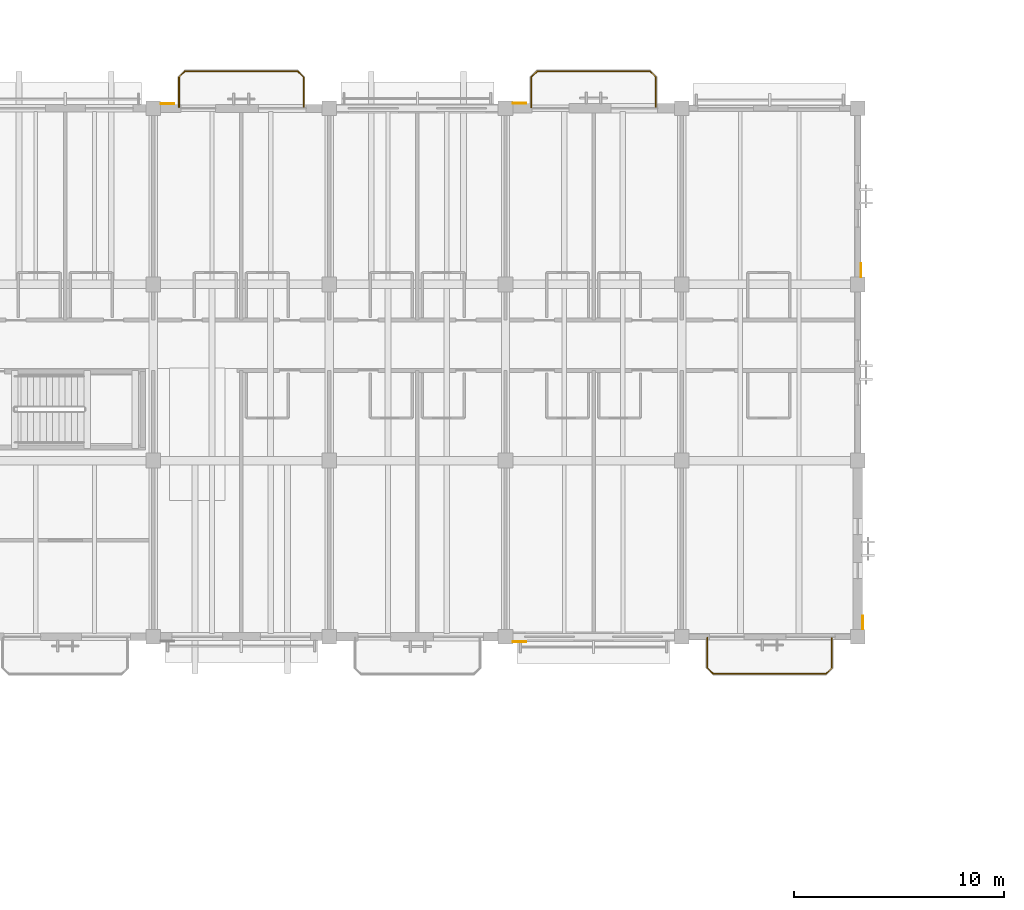
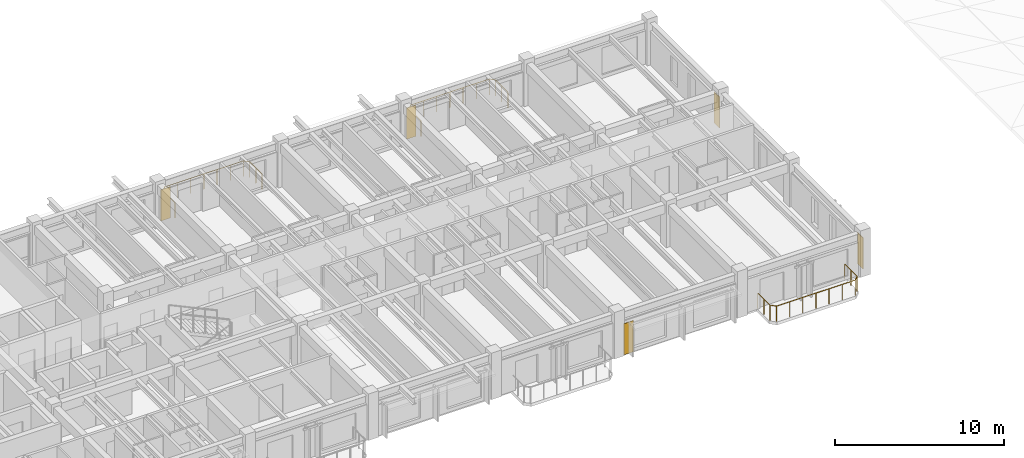
# One storey, part 63 of 64: 5 coverings, 3 railings.
"""IFC4 building model written with IfcOpenShell, lengths in metres."""

from ifc_helpers import new_model, si_unit, direction, frame, origin, origin_2d, place, context, subcontext, project, spatial, polyline, circle, outline, extrude, material, layer, layer_set, type_object, element, save


model = new_model("IFC4")

# Units and contexts
model_context = context("Model", 3, precision=1e-05, world=origin(), true_north=direction((0.0, 1.0)))
body_context = subcontext(model_context, "Body", "Model", "MODEL_VIEW")
ifc_project = project(units=[si_unit("LENGTHUNIT", "METRE"), si_unit("AREAUNIT", "SQUARE_METRE"), si_unit("VOLUMEUNIT", "CUBIC_METRE"), si_unit("PLANEANGLEUNIT", "RADIAN"), si_unit("MASSUNIT", "GRAM", prefix="KILO")], contexts=[model_context])

# Site, building, storey
site_placement = place(None, origin())
site = spatial("IfcSite", under=ifc_project, at=site_placement, CompositionType="ELEMENT")
building_placement = place(site_placement, origin())
building = spatial("IfcBuilding", under=site, at=building_placement, Name="Cumbredor Promenade Congress Hotel", CompositionType="ELEMENT")
storey_placement = place(building_placement, frame((0.0, 0.0, 18.47998046875)))
storey = spatial("IfcBuildingStorey", under=building, at=storey_placement, Name="L05", CompositionType="ELEMENT", Elevation=18.47998046875)

# Coverings
ifc_material_1 = material(Name="Precast concrete C40/50", Category="concrete")
ifc_layer_1 = layer(ifc_material_1, 0.044921875, Name="Precast concrete C40/50", Category="concrete")
ifc_layer_set_1 = layer_set([ifc_layer_1], Name="Precast concrete C40/50")
covering_type_1 = type_object("IfcCoveringType", Name="Board-Formed Architectural Cladding Panel 45mm", PredefinedType="CLADDING", material=ifc_layer_set_1)
covering_1_placement = place(storey_placement, origin())
element("IfcCovering", 1, at=covering_1_placement, inside=storey, type_object=covering_type_1, Name="L05 Facade Stone Cladding Pier 204", PredefinedType="CLADDING", context=body_context, shape_type="SweptSolid", body=[
    extrude(outline(polyline([(50.7509765625, 117.7900390625), (51.40087890625, 117.7900390625), (51.40087890625, 117.8349609375), (50.7509765625, 117.8349609375), (50.7509765625, 117.7900390625)])), origin(), (0.0, 0.0, 1.0), 2.25),
])
covering_2_placement = place(storey_placement, origin())
element("IfcCovering", 2, at=covering_2_placement, inside=storey, type_object=covering_type_1, Name="L05 Facade Stone Cladding Pier 208", PredefinedType="CLADDING", context=body_context, shape_type="SweptSolid", body=[
    extrude(outline(polyline([(84.22509765625, 92.7509765625), (84.22509765625, 93.40087890625), (84.27001953125, 93.40087890625), (84.27001953125, 92.7509765625), (84.22509765625, 92.7509765625)])), origin(), (0.0, 0.0, 1.0), 2.25),
])

# Railings
ifc_material_2 = material(Name="Brushed stainless steel", Category="steel")
railing_type_1 = type_object("IfcRailingType", Name="Sky Garden Glass-and-Steel Balustrade BAL-1150", PredefinedType="BALUSTRADE", material=ifc_material_2)
railing_1_placement = place(storey_placement, frame((68.429931640625, 117.64990234375, 0.0)))
element("IfcRailing", 3, at=railing_1_placement, inside=storey, type_object=railing_type_1, Name="L05 Veranda Balcony Balustrade 028", PredefinedType="BALUSTRADE", context=body_context, shape_type="SweptSolid", body=[
    extrude(circle(Radius=0.02392578125, at=origin_2d()), frame((0.0, 0.0, 1.1259765625), z_axis=(0.0, 1.0, 0.0), x_axis=(-1.0, 0.0, 0.0)), (0.0, 0.0, 1.0), 1.440185546875),
    extrude(circle(Radius=0.02392578125, at=origin_2d()), frame((0.0, 1.440185546875, 1.1259765625), z_axis=(0.707106781187, 0.707106781187, 0.0), x_axis=(-0.707106781187, 0.707106781187, 0.0)), (0.0, 0.0, 1.0), 0.39599609375),
    extrude(circle(Radius=0.02392578125, at=origin_2d()), frame((0.280029296875, 1.72021484375, 1.1259765625), z_axis=(1.0, 0.0, 0.0), x_axis=(0.0, 1.0, 0.0)), (0.0, 0.0, 1.0), 5.380126953125),
    extrude(circle(Radius=0.02392578125, at=origin_2d()), frame((5.66015625, 1.72021484375, 1.1259765625), z_axis=(0.707106781187, -0.707106781187, 0.0), x_axis=(0.707106781187, 0.707106781187, 0.0)), (0.0, 0.0, 1.0), 0.39599609375),
    extrude(circle(Radius=0.02392578125, at=origin_2d()), frame((5.940185546875, 1.440185546875, 1.1259765625), z_axis=(0.0, -1.0, 0.0), x_axis=(1.0, 0.0, 0.0)), (0.0, 0.0, 1.0), 1.440185546875),
    extrude(circle(Radius=0.02099609375, at=origin_2d()), origin(), (0.0, 0.0, 1.0), 1.101806640625),
    extrude(circle(Radius=0.02099609375, at=origin_2d()), frame((0.0, 0.72021484375, 0.0)), (0.0, 0.0, 1.0), 1.101806640625),
    extrude(circle(Radius=0.02099609375, at=origin_2d()), frame((0.0, 1.440185546875, 0.0)), (0.0, 0.0, 1.0), 1.101806640625),
    extrude(circle(Radius=0.02099609375, at=origin_2d()), frame((0.280029296875, 1.72021484375, 0.0)), (0.0, 0.0, 1.0), 1.101806640625),
    extrude(circle(Radius=0.02099609375, at=origin_2d()), frame((1.1767578125, 1.72021484375, 0.0)), (0.0, 0.0, 1.0), 1.101806640625),
    extrude(circle(Radius=0.02099609375, at=origin_2d()), frame((2.073486328125, 1.72021484375, 0.0)), (0.0, 0.0, 1.0), 1.101806640625),
    extrude(circle(Radius=0.02099609375, at=origin_2d()), frame((2.97021484375, 1.72021484375, 0.0)), (0.0, 0.0, 1.0), 1.101806640625),
    extrude(circle(Radius=0.02099609375, at=origin_2d()), frame((3.86669921875, 1.72021484375, 0.0)), (0.0, 0.0, 1.0), 1.101806640625),
    extrude(circle(Radius=0.02099609375, at=origin_2d()), frame((4.763427734375, 1.72021484375, 0.0)), (0.0, 0.0, 1.0), 1.101806640625),
    extrude(circle(Radius=0.02099609375, at=origin_2d()), frame((5.66015625, 1.72021484375, 0.0)), (0.0, 0.0, 1.0), 1.101806640625),
    extrude(circle(Radius=0.02099609375, at=origin_2d()), frame((5.940185546875, 1.440185546875, 0.0)), (0.0, 0.0, 1.0), 1.101806640625),
    extrude(circle(Radius=0.02099609375, at=origin_2d()), frame((5.940185546875, 0.72021484375, 0.0)), (0.0, 0.0, 1.0), 1.101806640625),
    extrude(circle(Radius=0.02099609375, at=origin_2d()), frame((5.940185546875, 0.0, 0.0)), (0.0, 0.0, 1.0), 1.101806640625),
])
railing_type_2 = type_object("IfcRailingType", Name="Terrace Perimeter Balustrade BAL-1120", PredefinedType="BALUSTRADE", material=ifc_material_2)
railing_2_placement = place(storey_placement, frame((51.6298828125, 117.64990234375, 0.0)))
element("IfcRailing", 4, at=railing_2_placement, inside=storey, type_object=railing_type_2, Name="L05 Veranda Balcony Balustrade 027", PredefinedType="BALUSTRADE", context=body_context, shape_type="SweptSolid", body=[
    extrude(circle(Radius=0.02392578125, at=origin_2d()), frame((0.0, 0.0, 1.09619140625), z_axis=(0.0, 1.0, 0.0), x_axis=(-1.0, 0.0, 0.0)), (0.0, 0.0, 1.0), 1.440185546875),
    extrude(circle(Radius=0.02392578125, at=origin_2d()), frame((0.0, 1.440185546875, 1.09619140625), z_axis=(0.707106781187, 0.707106781187, 0.0), x_axis=(-0.707106781187, 0.707106781187, 0.0)), (0.0, 0.0, 1.0), 0.39599609375),
    extrude(circle(Radius=0.02392578125, at=origin_2d()), frame((0.280029296875, 1.72021484375, 1.09619140625), z_axis=(1.0, 0.0, 0.0), x_axis=(0.0, 1.0, 0.0)), (0.0, 0.0, 1.0), 5.380126953125),
    extrude(circle(Radius=0.02392578125, at=origin_2d()), frame((5.66015625, 1.72021484375, 1.09619140625), z_axis=(0.707106781187, -0.707106781187, 0.0), x_axis=(0.707106781187, 0.707106781187, 0.0)), (0.0, 0.0, 1.0), 0.39599609375),
    extrude(circle(Radius=0.02392578125, at=origin_2d()), frame((5.940185546875, 1.440185546875, 1.09619140625), z_axis=(0.0, -1.0, 0.0), x_axis=(1.0, 0.0, 0.0)), (0.0, 0.0, 1.0), 1.440185546875),
    extrude(circle(Radius=0.02099609375, at=origin_2d()), origin(), (0.0, 0.0, 1.0), 1.072021484375),
    extrude(circle(Radius=0.02099609375, at=origin_2d()), frame((0.0, 0.72021484375, 0.0)), (0.0, 0.0, 1.0), 1.072021484375),
    extrude(circle(Radius=0.02099609375, at=origin_2d()), frame((0.0, 1.440185546875, 0.0)), (0.0, 0.0, 1.0), 1.072021484375),
    extrude(circle(Radius=0.02099609375, at=origin_2d()), frame((0.280029296875, 1.72021484375, 0.0)), (0.0, 0.0, 1.0), 1.072021484375),
    extrude(circle(Radius=0.02099609375, at=origin_2d()), frame((1.1767578125, 1.72021484375, 0.0)), (0.0, 0.0, 1.0), 1.072021484375),
    extrude(circle(Radius=0.02099609375, at=origin_2d()), frame((2.073486328125, 1.72021484375, 0.0)), (0.0, 0.0, 1.0), 1.072021484375),
    extrude(circle(Radius=0.02099609375, at=origin_2d()), frame((2.97021484375, 1.72021484375, 0.0)), (0.0, 0.0, 1.0), 1.072021484375),
    extrude(circle(Radius=0.02099609375, at=origin_2d()), frame((3.86669921875, 1.72021484375, 0.0)), (0.0, 0.0, 1.0), 1.072021484375),
    extrude(circle(Radius=0.02099609375, at=origin_2d()), frame((4.763427734375, 1.72021484375, 0.0)), (0.0, 0.0, 1.0), 1.072021484375),
    extrude(circle(Radius=0.02099609375, at=origin_2d()), frame((5.66015625, 1.72021484375, 0.0)), (0.0, 0.0, 1.0), 1.072021484375),
    extrude(circle(Radius=0.02099609375, at=origin_2d()), frame((5.940185546875, 1.440185546875, 0.0)), (0.0, 0.0, 1.0), 1.072021484375),
    extrude(circle(Radius=0.02099609375, at=origin_2d()), frame((5.940185546875, 0.72021484375, 0.0)), (0.0, 0.0, 1.0), 1.072021484375),
    extrude(circle(Radius=0.02099609375, at=origin_2d()), frame((5.940185546875, 0.0, 0.0)), (0.0, 0.0, 1.0), 1.072021484375),
])
railing_3_placement = place(storey_placement, frame((76.830078125, 92.35009765625, 0.0)))
element("IfcRailing", 5, at=railing_3_placement, inside=storey, type_object=railing_type_2, Name="L05 Veranda Balcony Balustrade 033", PredefinedType="BALUSTRADE", context=body_context, shape_type="SweptSolid", body=[
    extrude(circle(Radius=0.02392578125, at=origin_2d()), frame((0.0, 0.0, 1.09619140625), z_axis=(0.0, -1.0, 0.0), x_axis=(1.0, 0.0, 0.0)), (0.0, 0.0, 1.0), 1.440185546875),
    extrude(circle(Radius=0.02392578125, at=origin_2d()), frame((0.0, -1.440185546875, 1.09619140625), z_axis=(0.707106781187, -0.707106781187, 0.0), x_axis=(0.707106781187, 0.707106781187, 0.0)), (0.0, 0.0, 1.0), 0.39599609375),
    extrude(circle(Radius=0.02392578125, at=origin_2d()), frame((0.280029296875, -1.72021484375, 1.09619140625), z_axis=(1.0, 0.0, 0.0), x_axis=(0.0, 1.0, 0.0)), (0.0, 0.0, 1.0), 5.3798828125),
    extrude(circle(Radius=0.02392578125, at=origin_2d()), frame((5.659912109375, -1.72021484375, 1.09619140625), z_axis=(0.707106781187, 0.707106781187, 0.0), x_axis=(-0.707106781187, 0.707106781187, 0.0)), (0.0, 0.0, 1.0), 0.39599609375),
    extrude(circle(Radius=0.02392578125, at=origin_2d()), frame((5.93994140625, -1.440185546875, 1.09619140625), z_axis=(0.0, 1.0, 0.0), x_axis=(-1.0, 0.0, 0.0)), (0.0, 0.0, 1.0), 1.440185546875),
    extrude(circle(Radius=0.02099609375, at=origin_2d()), origin(), (0.0, 0.0, 1.0), 1.072021484375),
    extrude(circle(Radius=0.02099609375, at=origin_2d()), frame((0.0, -0.72021484375, 0.0)), (0.0, 0.0, 1.0), 1.072021484375),
    extrude(circle(Radius=0.02099609375, at=origin_2d()), frame((0.0, -1.440185546875, 0.0)), (0.0, 0.0, 1.0), 1.072021484375),
    extrude(circle(Radius=0.02099609375, at=origin_2d()), frame((0.280029296875, -1.72021484375, 0.0)), (0.0, 0.0, 1.0), 1.072021484375),
    extrude(circle(Radius=0.02099609375, at=origin_2d()), frame((1.1767578125, -1.72021484375, 0.0)), (0.0, 0.0, 1.0), 1.072021484375),
    extrude(circle(Radius=0.02099609375, at=origin_2d()), frame((2.0732421875, -1.72021484375, 0.0)), (0.0, 0.0, 1.0), 1.072021484375),
    extrude(circle(Radius=0.02099609375, at=origin_2d()), frame((2.969970703125, -1.72021484375, 0.0)), (0.0, 0.0, 1.0), 1.072021484375),
    extrude(circle(Radius=0.02099609375, at=origin_2d()), frame((3.86669921875, -1.72021484375, 0.0)), (0.0, 0.0, 1.0), 1.072021484375),
    extrude(circle(Radius=0.02099609375, at=origin_2d()), frame((4.76318359375, -1.72021484375, 0.0)), (0.0, 0.0, 1.0), 1.072021484375),
    extrude(circle(Radius=0.02099609375, at=origin_2d()), frame((5.659912109375, -1.72021484375, 0.0)), (0.0, 0.0, 1.0), 1.072021484375),
    extrude(circle(Radius=0.02099609375, at=origin_2d()), frame((5.93994140625, -1.440185546875, 0.0)), (0.0, 0.0, 1.0), 1.072021484375),
    extrude(circle(Radius=0.02099609375, at=origin_2d()), frame((5.93994140625, -0.72021484375, 0.0)), (0.0, 0.0, 1.0), 1.072021484375),
    extrude(circle(Radius=0.02099609375, at=origin_2d()), frame((5.93994140625, 0.0, 0.0)), (0.0, 0.0, 1.0), 1.072021484375),
])

# Coverings
ifc_material_3 = material(Name="Volcanic andesite ashlar cladding", Category="masonry")
ifc_layer_2 = layer(ifc_material_3, 0.034912109375, Name="Volcanic andesite ashlar cladding", Category="masonry")
ifc_layer_set_2 = layer_set([ifc_layer_2], Name="Volcanic andesite ashlar cladding")
covering_type_2 = type_object("IfcCoveringType", Name="Volcanic Andesite Ashlar Rainscreen Cladding 35mm", PredefinedType="CLADDING", material=ifc_layer_set_2)
covering_3_placement = place(storey_placement, origin())
element("IfcCovering", 6, at=covering_3_placement, inside=storey, type_object=covering_type_2, Name="L05 Facade Stone Cladding Pier 201", PredefinedType="CLADDING", context=body_context, shape_type="SweptSolid", body=[
    extrude(outline(polyline([(67.551025390625, 92.175048828125), (68.200927734375, 92.175048828125), (68.200927734375, 92.139892578125), (67.551025390625, 92.139892578125), (67.551025390625, 92.175048828125)])), origin(), (0.0, 0.0, 1.0), 2.25),
])
covering_4_placement = place(storey_placement, origin())
element("IfcCovering", 7, at=covering_4_placement, inside=storey, type_object=covering_type_2, Name="L05 Facade Stone Cladding Pier 205", PredefinedType="CLADDING", context=body_context, shape_type="SweptSolid", body=[
    extrude(outline(polyline([(67.551025390625, 117.824951171875), (68.200927734375, 117.824951171875), (68.200927734375, 117.860107421875), (67.551025390625, 117.860107421875), (67.551025390625, 117.824951171875)])), origin(), (0.0, 0.0, 1.0), 2.25),
])
covering_5_placement = place(storey_placement, origin())
element("IfcCovering", 8, at=covering_5_placement, inside=storey, type_object=covering_type_2, Name="L05 Facade Stone Cladding Pier 209", PredefinedType="CLADDING", context=body_context, shape_type="SweptSolid", body=[
    extrude(outline(polyline([(84.139892578125, 109.551025390625), (84.139892578125, 110.200927734375), (84.175048828125, 110.200927734375), (84.175048828125, 109.551025390625), (84.139892578125, 109.551025390625)])), origin(), (0.0, 0.0, 1.0), 2.25),
])

save(model, "model.ifc")
